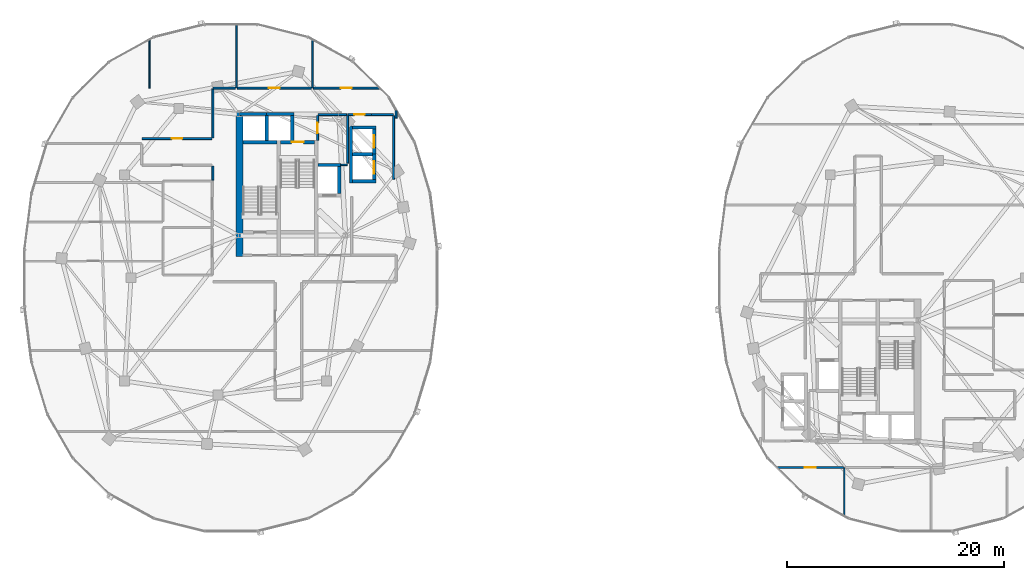
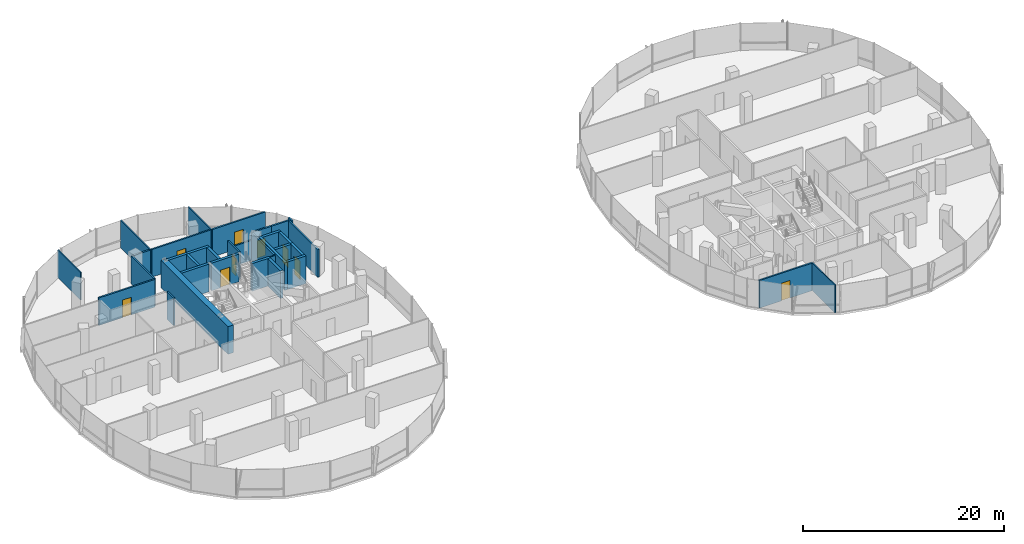
# One storey, part 13 of 23: 34 walls, 9 doors, 9 openings.
"""IFC4 building model written with IfcOpenShell, lengths in metres."""

from ifc_helpers import new_model, si_unit, direction, frame, frame_2d, origin, place, context, subcontext, project, spatial, rectangle, extrude, material, layer, layer_set, type_object, element, fill, save


model = new_model("IFC4")

# Units and contexts
model_context = context("Model", 3, precision=1e-05, world=origin(), true_north=direction((0.0, 1.0)))
body_context = subcontext(model_context, "Body", "Model", "MODEL_VIEW")
ifc_project = project(units=[si_unit("LENGTHUNIT", "METRE"), si_unit("AREAUNIT", "SQUARE_METRE"), si_unit("VOLUMEUNIT", "CUBIC_METRE"), si_unit("PLANEANGLEUNIT", "RADIAN"), si_unit("MASSUNIT", "GRAM", prefix="KILO"), si_unit("THERMODYNAMICTEMPERATUREUNIT", "KELVIN"), si_unit("POWERUNIT", "WATT")], contexts=[model_context])

# Site, building, storey
site_placement = place(None, origin())
site = spatial("IfcSite", under=ifc_project, at=site_placement, CompositionType="ELEMENT")
building_placement = place(site_placement, origin())
building = spatial("IfcBuilding", under=site, at=building_placement, Name="Cundina Bronze Exchange", CompositionType="ELEMENT")
storey_placement = place(building_placement, frame((0.0, 0.0, 169.199951171875)))
storey = spatial("IfcBuildingStorey", under=building, at=storey_placement, Name="L44", CompositionType="ELEMENT", Elevation=169.199951171875)

# Wall
ifc_material_1 = material(Name="Gypsum Fireboard Partition EI120")
ifc_layer_1 = layer(ifc_material_1, 0.179931640625, Name="Gypsum Fireboard Partition EI120")
ifc_layer_set_1 = layer_set([ifc_layer_1], Name="Gypsum Fireboard Partition EI120")
wall_type_1 = type_object("IfcWallType", Name="WL-COR-180", PredefinedType="PARTITIONING", material=ifc_layer_set_1)
wall_1_placement = place(storey_placement, frame((-17.02001953125, 9.070068359375, 0.0), z_axis=(0.0, 0.0, 1.0), x_axis=(0.0, 1.0, 0.0)))
element("IfcWall", 1, at=wall_1_placement, inside=storey, type_object=wall_type_1, Name="L44 Interior Partition 001", PredefinedType="PARTITIONING", context=body_context, shape_type="SweptSolid", body=[
    extrude(rectangle(XDim=5.85986328125, YDim=0.179931640625, at=frame_2d((2.929931640625, 0.0))), origin(), (0.0, 0.0, 1.0), 3.360107421875),
])

# Wall, opening, door
wall_2_placement = place(storey_placement, frame((-21.22998046875, 15.030029296875, 0.0), z_axis=(0.0, 0.0, 1.0), x_axis=(1.0, 0.0, 0.0)))
wall_2 = element("IfcWall", 2, at=wall_2_placement, inside=storey, type_object=wall_type_1, Name="L44 Interior Partition 002", PredefinedType="PARTITIONING", context=body_context, shape_type="SweptSolid", body=[
    extrude(rectangle(XDim=2.159912109375, YDim=0.179931640625, at=frame_2d((1.080078125, 0.0))), origin(), (0.0, 0.0, 1.0), 3.360107421875),
])
opening_1_placement = place(wall_2_placement, frame((0.60498046875, 0.0, 0.0)))
opening_1 = element("IfcOpeningElement", 3, at=opening_1_placement, cuts=wall_2, Name="Opening DW-01", PredefinedType="OPENING", context=body_context, shape_type="SweptSolid", body=[
    extrude(rectangle(XDim=0.949951171875, YDim=2.10009765625, at=frame_2d((0.47509765625, 1.050048828125))), frame((0.0, 0.099853515625, 0.0), z_axis=(0.0, -1.0, 0.0), x_axis=(1.0, 0.0, 0.0)), (0.0, 0.0, 1.0), 0.199951171875),
])
ifc_material_2 = material(Name="Solid Andean Oak Timber Grade A", Category="wood")
door_type_1 = type_object("IfcDoorType", Name="DR-WC-950", OperationType="NOTDEFINED", PredefinedType="DOOR", material=ifc_material_2)
door_1_placement = place(opening_1_placement, origin())
door_1 = element("IfcDoor", 4, at=door_1_placement, inside=storey, type_object=door_type_1, Name="L44 Interior Door 002", OperationType="SINGLE_SWING_LEFT", OverallHeight=2.10009765625, OverallWidth=0.949951171875, PredefinedType="DOOR", context=body_context, shape_type="SweptSolid", body=[
    extrude(rectangle(XDim=0.949951171875, YDim=2.10009765625, at=frame_2d((0.47509765625, 1.050048828125))), frame((0.0, 0.02490234375, 0.0), z_axis=(0.0, -1.0, 0.0), x_axis=(1.0, 0.0, 0.0)), (0.0, 0.0, 1.0), 0.050048828125),
])
fill(opening_1, door_1)

# Walls
wall_3_placement = place(storey_placement, frame((-19.030029296875, 15.030029296875, 0.0), z_axis=(0.0, 0.0, 1.0), x_axis=(1.0, 0.0, 0.0)))
element("IfcWall", 5, at=wall_3_placement, inside=storey, type_object=wall_type_1, Name="L44 Interior Partition 003", PredefinedType="PARTITIONING", context=body_context, shape_type="SweptSolid", body=[
    extrude(rectangle(XDim=1.989990234375, YDim=0.179931640625, at=frame_2d((0.9951171875, 0.0))), origin(), (0.0, 0.0, 1.0), 3.360107421875),
])
wall_4_placement = place(storey_placement, frame((-21.25, 10.570068359375, 0.0), z_axis=(0.0, 0.0, 1.0), x_axis=(0.0, 1.0, 0.0)))
element("IfcWall", 6, at=wall_4_placement, inside=storey, type_object=wall_type_1, Name="L44 Interior Partition 005", PredefinedType="PARTITIONING", context=body_context, shape_type="SweptSolid", body=[
    extrude(rectangle(XDim=4.35986328125, YDim=0.179931640625, at=frame_2d((2.179931640625, 0.0))), origin(), (0.0, 0.0, 1.0), 3.360107421875),
])
wall_5_placement = place(storey_placement, frame((-23.9599609375, 15.030029296875, 0.0), z_axis=(0.0, 0.0, 1.0), x_axis=(1.0, 0.0, 0.0)))
element("IfcWall", 7, at=wall_5_placement, inside=storey, type_object=wall_type_1, Name="L44 Interior Partition 006", PredefinedType="PARTITIONING", context=body_context, shape_type="SweptSolid", body=[
    extrude(rectangle(XDim=2.60986328125, YDim=0.179931640625, at=frame_2d((1.304931640625, 0.0))), origin(), (0.0, 0.0, 1.0), 2.43310546875),
])

# Wall, opening, door
wall_6_placement = place(storey_placement, frame((-24.02001953125, 12.669921875, 0.0), z_axis=(0.0, 0.0, 1.0), x_axis=(0.0, 1.0, 0.0)))
wall_6 = element("IfcWall", 8, at=wall_6_placement, inside=storey, type_object=wall_type_1, Name="L44 Interior Partition 008", PredefinedType="PARTITIONING", context=body_context, shape_type="SweptSolid", body=[
    extrude(rectangle(XDim=2.260009765625, YDim=0.179931640625, at=frame_2d((1.1298828125, 0.0))), origin(), (0.0, 0.0, 1.0), 3.360107421875),
])
opening_2_placement = place(wall_6_placement, frame((0.655029296875, 0.0, 0.0)))
opening_2 = element("IfcOpeningElement", 9, at=opening_2_placement, cuts=wall_6, Name="Opening DW-01", PredefinedType="OPENING", context=body_context, shape_type="SweptSolid", body=[
    extrude(rectangle(XDim=0.949951171875, YDim=2.10009765625, at=frame_2d((0.47509765625, 1.050048828125))), frame((0.0, 0.099853515625, 0.0), z_axis=(0.0, -1.0, 0.0), x_axis=(1.0, 0.0, 0.0)), (0.0, 0.0, 1.0), 0.199951171875),
])
door_2_placement = place(opening_2_placement, origin())
door_2 = element("IfcDoor", 10, at=door_2_placement, inside=storey, type_object=door_type_1, Name="L44 Interior Door 008", OperationType="SINGLE_SWING_LEFT", OverallHeight=2.10009765625, OverallWidth=0.949951171875, PredefinedType="DOOR", context=body_context, shape_type="SweptSolid", body=[
    extrude(rectangle(XDim=0.949951171875, YDim=2.10009765625, at=frame_2d((0.47509765625, 1.050048828125))), frame((0.0, 0.02490234375, 0.0), z_axis=(0.0, -1.0, 0.0), x_axis=(1.0, 0.0, 0.0)), (0.0, 0.0, 1.0), 0.050048828125),
])
fill(opening_2, door_2)

# Walls
wall_7_placement = place(storey_placement, frame((-16.780029296875, 14.721435546875, 0.0), z_axis=(0.0, 0.0, 1.0), x_axis=(0.0, 1.0, 0.0)))
element("IfcWall", 11, at=wall_7_placement, inside=storey, type_object=wall_type_1, Name="L44 Interior Partition 033", PredefinedType="PARTITIONING", context=body_context, shape_type="SweptSolid", body=[
    extrude(rectangle(XDim=0.68359375, YDim=0.179931640625, at=frame_2d((0.341796875, 0.0))), origin(), (0.0, 0.0, 1.0), 3.360107421875),
])
wall_8_placement = place(storey_placement, frame((-33.669921875, 10.300048828125, 0.0), z_axis=(0.0, 0.0, 1.0), x_axis=(0.0, -1.0, 0.0)))
element("IfcWall", 12, at=wall_8_placement, inside=storey, type_object=wall_type_1, Name="L44 Interior Partition 036", PredefinedType="PARTITIONING", context=body_context, shape_type="SweptSolid", body=[
    extrude(rectangle(XDim=1.298583984375, YDim=0.179931640625, at=frame_2d((0.6494140625, 0.0))), origin(), (0.0, 0.0, 1.0), 3.360107421875),
])

# Wall, opening, door
wall_9_placement = place(storey_placement, frame((-33.75, 12.820068359375, 0.0), z_axis=(0.0, 0.0, 1.0), x_axis=(-1.0, 0.0, 0.0)))
wall_9 = element("IfcWall", 13, at=wall_9_placement, inside=storey, type_object=wall_type_1, Name="L44 Interior Partition 037", PredefinedType="PARTITIONING", context=body_context, shape_type="SweptSolid", body=[
    extrude(rectangle(XDim=6.428466796875, YDim=0.179931640625, at=frame_2d((3.21435546875, 0.0))), origin(), (0.0, 0.0, 1.0), 3.360107421875),
])
opening_3_placement = place(wall_9_placement, frame((2.714111328125, 0.0, 0.0)))
opening_3 = element("IfcOpeningElement", 14, at=opening_3_placement, cuts=wall_9, Name="Opening DO-01", PredefinedType="OPENING", context=body_context, shape_type="SweptSolid", body=[
    extrude(rectangle(XDim=1.0, YDim=2.14990234375, at=frame_2d((0.5, 1.074951171875))), frame((0.0, 0.099853515625, 0.0), z_axis=(0.0, -1.0, 0.0), x_axis=(1.0, 0.0, 0.0)), (0.0, 0.0, 1.0), 0.199951171875),
])
door_type_2 = type_object("IfcDoorType", Name="DR-OFF-1000", OperationType="NOTDEFINED", PredefinedType="DOOR", material=ifc_material_2)
door_3_placement = place(opening_3_placement, origin())
door_3 = element("IfcDoor", 15, at=door_3_placement, inside=storey, type_object=door_type_2, Name="L44 Interior Door 037", OperationType="SINGLE_SWING_LEFT", OverallHeight=2.14990234375, OverallWidth=1.0, PredefinedType="DOOR", context=body_context, shape_type="SweptSolid", body=[
    extrude(rectangle(XDim=1.0, YDim=2.14990234375, at=frame_2d((0.5, 1.074951171875))), frame((0.0, 0.02490234375, 0.0), z_axis=(0.0, -1.0, 0.0), x_axis=(1.0, 0.0, 0.0)), (0.0, 0.0, 1.0), 0.050048828125),
])
fill(opening_3, door_3)

# Walls
wall_10_placement = place(storey_placement, frame((-33.669921875, 17.428466796875, 0.0), z_axis=(0.0, 0.0, 1.0), x_axis=(0.0, -1.0, 0.0)))
element("IfcWall", 16, at=wall_10_placement, inside=storey, type_object=wall_type_1, Name="L44 Interior Partition 038", PredefinedType="PARTITIONING", context=body_context, shape_type="SweptSolid", body=[
    extrude(rectangle(XDim=4.528564453125, YDim=0.179931640625, at=frame_2d((2.26416015625, 0.0))), origin(), (0.0, 0.0, 1.0), 3.360107421875),
])
wall_11_placement = place(storey_placement, frame((-31.590087890625, 17.469970703125, 0.0), z_axis=(0.0, 0.0, 1.0), x_axis=(-1.0, 0.0, 0.0)))
element("IfcWall", 17, at=wall_11_placement, inside=storey, type_object=wall_type_1, Name="L44 Interior Partition 039", PredefinedType="PARTITIONING", context=body_context, shape_type="SweptSolid", body=[
    extrude(rectangle(XDim=2.038330078125, YDim=0.179931640625, at=frame_2d((1.01904296875, 0.0))), origin(), (0.0, 0.0, 1.0), 3.360107421875),
])

# Wall, opening, door
wall_12_placement = place(storey_placement, frame((-18.341796875, 17.469970703125, 0.0), z_axis=(0.0, 0.0, 1.0), x_axis=(-1.0, 0.0, 0.0)))
wall_12 = element("IfcWall", 18, at=wall_12_placement, inside=storey, type_object=wall_type_1, Name="L44 Interior Partition 040", PredefinedType="PARTITIONING", context=body_context, shape_type="SweptSolid", body=[
    extrude(rectangle(XDim=6.068115234375, YDim=0.179931640625, at=frame_2d((3.0341796875, 0.0))), origin(), (0.0, 0.0, 1.0), 3.360107421875),
])
opening_4_placement = place(wall_12_placement, frame((2.5341796875, 0.0, 0.0)))
opening_4 = element("IfcOpeningElement", 19, at=opening_4_placement, cuts=wall_12, Name="Opening DO-01", PredefinedType="OPENING", context=body_context, shape_type="SweptSolid", body=[
    extrude(rectangle(XDim=1.0, YDim=2.14990234375, at=frame_2d((0.5, 1.074951171875))), frame((0.0, 0.099853515625, 0.0), z_axis=(0.0, -1.0, 0.0), x_axis=(1.0, 0.0, 0.0)), (0.0, 0.0, 1.0), 0.199951171875),
])
door_4_placement = place(opening_4_placement, origin())
door_4 = element("IfcDoor", 20, at=door_4_placement, inside=storey, type_object=door_type_2, Name="L44 Interior Door 040", OperationType="SINGLE_SWING_RIGHT", OverallHeight=2.14990234375, OverallWidth=1.0, PredefinedType="DOOR", context=body_context, shape_type="SweptSolid", body=[
    extrude(rectangle(XDim=1.0, YDim=2.14990234375, at=frame_2d((0.5, 1.074951171875))), frame((0.0, 0.02490234375, 0.0), z_axis=(0.0, -1.0, 0.0), x_axis=(1.0, 0.0, 0.0)), (0.0, 0.0, 1.0), 0.050048828125),
])
fill(opening_4, door_4)

wall_13_placement = place(storey_placement, frame((-24.590087890625, 17.469970703125, 0.0), z_axis=(0.0, 0.0, 1.0), x_axis=(-1.0, 0.0, 0.0)))
wall_13 = element("IfcWall", 21, at=wall_13_placement, inside=storey, type_object=wall_type_1, Name="L44 Interior Partition 041", PredefinedType="PARTITIONING", context=body_context, shape_type="SweptSolid", body=[
    extrude(rectangle(XDim=6.81982421875, YDim=0.179931640625, at=frame_2d((3.409912109375, 0.0))), origin(), (0.0, 0.0, 1.0), 3.360107421875),
])
opening_5_placement = place(wall_13_placement, frame((2.909912109375, 0.0, 0.0)))
opening_5 = element("IfcOpeningElement", 22, at=opening_5_placement, cuts=wall_13, Name="Opening DO-01", PredefinedType="OPENING", context=body_context, shape_type="SweptSolid", body=[
    extrude(rectangle(XDim=1.0, YDim=2.14990234375, at=frame_2d((0.5, 1.074951171875))), frame((0.0, 0.099853515625, 0.0), z_axis=(0.0, -1.0, 0.0), x_axis=(1.0, 0.0, 0.0)), (0.0, 0.0, 1.0), 0.199951171875),
])
door_5_placement = place(opening_5_placement, origin())
door_5 = element("IfcDoor", 23, at=door_5_placement, inside=storey, type_object=door_type_2, Name="L44 Interior Door 041", OperationType="SINGLE_SWING_RIGHT", OverallHeight=2.14990234375, OverallWidth=1.0, PredefinedType="DOOR", context=body_context, shape_type="SweptSolid", body=[
    extrude(rectangle(XDim=1.0, YDim=2.14990234375, at=frame_2d((0.5, 1.074951171875))), frame((0.0, 0.02490234375, 0.0), z_axis=(0.0, -1.0, 0.0), x_axis=(1.0, 0.0, 0.0)), (0.0, 0.0, 1.0), 0.050048828125),
])
fill(opening_5, door_5)

wall_14_placement = place(storey_placement, frame((18.341796875, -17.469970703125, 0.0), z_axis=(0.0, 0.0, 1.0), x_axis=(1.0, 0.0, 0.0)))
wall_14 = element("IfcWall", 24, at=wall_14_placement, inside=storey, type_object=wall_type_1, Name="L44 Interior Partition 068", PredefinedType="PARTITIONING", context=body_context, shape_type="SweptSolid", body=[
    extrude(rectangle(XDim=6.068115234375, YDim=0.179931640625, at=frame_2d((3.0341796875, 0.0))), origin(), (0.0, 0.0, 1.0), 3.360107421875),
])
opening_6_placement = place(wall_14_placement, frame((2.5341796875, 0.0, 0.0)))
opening_6 = element("IfcOpeningElement", 25, at=opening_6_placement, cuts=wall_14, Name="Opening DO-01", PredefinedType="OPENING", context=body_context, shape_type="SweptSolid", body=[
    extrude(rectangle(XDim=1.0, YDim=2.14990234375, at=frame_2d((0.5, 1.074951171875))), frame((0.0, 0.099853515625, 0.0), z_axis=(0.0, -1.0, 0.0), x_axis=(1.0, 0.0, 0.0)), (0.0, 0.0, 1.0), 0.199951171875),
])
door_6_placement = place(opening_6_placement, origin())
door_6 = element("IfcDoor", 26, at=door_6_placement, inside=storey, type_object=door_type_2, Name="L44 Interior Door 068", OperationType="SINGLE_SWING_LEFT", OverallHeight=2.14990234375, OverallWidth=1.0, PredefinedType="DOOR", context=body_context, shape_type="SweptSolid", body=[
    extrude(rectangle(XDim=1.0, YDim=2.14990234375, at=frame_2d((0.5, 1.074951171875))), frame((0.0, 0.02490234375, 0.0), z_axis=(0.0, -1.0, 0.0), x_axis=(1.0, 0.0, 0.0)), (0.0, 0.0, 1.0), 0.050048828125),
])
fill(opening_6, door_6)

# Walls
ifc_material_3 = material(Name="Concrete C50/60", Category="concrete")
ifc_layer_2 = layer(ifc_material_3, 0.64990234375, Name="Concrete C50/60", Category="concrete")
ifc_layer_set_2 = layer_set([ifc_layer_2], Name="Concrete C50/60")
wall_type_2 = type_object("IfcWallType", Name="WL-CORE-650", PredefinedType="SHEAR", material=ifc_layer_set_2)
wall_15_placement = place(storey_placement, frame((-31.22509765625, 1.969970703125, 0.0), z_axis=(0.0, 0.0, 1.0), x_axis=(0.0, 1.0, 0.0)))
element("IfcWall", 27, at=wall_15_placement, inside=storey, type_object=wall_type_2, Name="L44 W Primary Core Shear Spine Wall", PredefinedType="SHEAR", context=body_context, shape_type="SweptSolid", body=[
    extrude(rectangle(XDim=13.330078125, YDim=0.64990234375, at=frame_2d((6.6650390625, 0.0))), origin(), (0.0, 0.0, 1.0), 3.360107421875),
])
ifc_material_4 = material(Name="Gypsum Acoustic Partition EI60")
ifc_layer_3 = layer(ifc_material_4, 0.125, Name="Gypsum Acoustic Partition EI60")
ifc_layer_set_3 = layer_set([ifc_layer_3], Name="Gypsum Acoustic Partition EI60")
wall_type_3 = type_object("IfcWallType", Name="WL-OFF-125", PredefinedType="PARTITIONING", material=ifc_layer_set_3)
wall_16_placement = place(storey_placement, frame((-39.5, 17.469970703125, 0.0), z_axis=(0.0, 0.0, 1.0), x_axis=(0.0, 1.0, 0.0)))
element("IfcWall", 28, at=wall_16_placement, inside=storey, type_object=wall_type_3, Name="L44 Interior Partition 021", PredefinedType="PARTITIONING", context=body_context, shape_type="SweptSolid", body=[
    extrude(rectangle(XDim=4.55517578125, YDim=0.125, at=frame_2d((2.277587890625, 0.0))), origin(), (0.0, 0.0, 1.0), 3.360107421875),
])
wall_17_placement = place(storey_placement, frame((-31.5, 17.5, 0.0), z_axis=(0.0, 0.0, 1.0), x_axis=(0.0, 1.0, 0.0)))
element("IfcWall", 29, at=wall_17_placement, inside=storey, type_object=wall_type_3, Name="L44 Interior Partition 022", PredefinedType="PARTITIONING", context=body_context, shape_type="SweptSolid", body=[
    extrude(rectangle(XDim=5.902099609375, YDim=0.125, at=frame_2d((2.951171875, 0.0))), origin(), (0.0, 0.0, 1.0), 3.360107421875),
])
for number, where, z_axis, x_axis, name in (
    (30, (-24.5, 17.5, 0.0), (0.0, 0.0, 1.0), (0.0, 1.0, 0.0), "L44 Interior Partition 023"),
    (31, (24.5, -22.025146484375, 0.0), (0.0, 0.0, 1.0), (0.0, 1.0, 0.0), "L44 Interior Partition 064"),
):
    element("IfcWall", number, at=place(storey_placement, frame(where, z_axis=z_axis, x_axis=x_axis)), inside=storey, type_object=wall_type_3, Name=name, PredefinedType="PARTITIONING", context=body_context, shape_type="SweptSolid", body=[
        extrude(rectangle(XDim=4.525146484375, YDim=0.125, at=frame_2d((2.2626953125, 0.0))), origin(), (0.0, 0.0, 1.0), 3.360107421875),
    ])
ifc_layer_4 = layer(ifc_material_3, 0.300048828125, Name="Concrete C50/60", Category="concrete")
ifc_layer_set_4 = layer_set([ifc_layer_4], Name="Concrete C50/60")
wall_type_4 = type_object("IfcWallType", Name="WL-SHFT-300", PredefinedType="SHEAR", material=ifc_layer_set_4)
wall_18_placement = place(storey_placement, frame((-30.89990234375, 12.5, 0.0), z_axis=(0.0, 0.0, 1.0), x_axis=(1.0, 0.0, 0.0)))
element("IfcWall", 32, at=wall_18_placement, inside=storey, type_object=wall_type_4, Name="L44 Stair W1 Far Shaft Wall", PredefinedType="SHEAR", context=body_context, shape_type="SweptSolid", body=[
    extrude(rectangle(XDim=3.159912109375, YDim=0.300048828125, at=frame_2d((1.580078125, 0.0))), origin(), (0.0, 0.0, 1.0), 3.360107421875),
])

# Wall, opening, door
wall_19_placement = place(storey_placement, frame((-27.43994140625, 12.5, 0.0), z_axis=(0.0, 0.0, 1.0), x_axis=(1.0, 0.0, 0.0)))
wall_19 = element("IfcWall", 33, at=wall_19_placement, inside=storey, type_object=wall_type_4, Name="L44 Stair W2 Landing Wall", PredefinedType="SHEAR", context=body_context, shape_type="SweptSolid", body=[
    extrude(rectangle(XDim=3.159912109375, YDim=0.300048828125, at=frame_2d((1.580078125, 0.0))), origin(), (0.0, 0.0, 1.0), 3.360107421875),
])
opening_7_placement = place(wall_19_placement, frame((1.030029296875, 0.0, 0.0)))
opening_7 = element("IfcOpeningElement", 34, at=opening_7_placement, cuts=wall_19, Name="Opening DS-01", PredefinedType="OPENING", context=body_context, shape_type="SweptSolid", body=[
    extrude(rectangle(XDim=1.10009765625, YDim=2.14990234375, at=frame_2d((0.550048828125, 1.074951171875))), frame((0.0, 0.159912109375, 0.0), z_axis=(0.0, -1.0, 0.0), x_axis=(1.0, 0.0, 0.0)), (0.0, 0.0, 1.0), 0.320068359375),
])
ifc_material_5 = material(Name="Steel ASTM A36 Painted", Category="steel")
door_type_3 = type_object("IfcDoorType", Name="DR-STR-1100", OperationType="NOTDEFINED", PredefinedType="DOOR", material=ifc_material_5)
door_7_placement = place(opening_7_placement, origin())
door_7 = element("IfcDoor", 35, at=door_7_placement, inside=storey, type_object=door_type_3, Name="L44 Smokeproof Stair W2 Door", OperationType="SINGLE_SWING_LEFT", OverallHeight=2.14990234375, OverallWidth=1.10009765625, PredefinedType="DOOR", context=body_context, shape_type="SweptSolid", body=[
    extrude(rectangle(XDim=1.10009765625, YDim=2.14990234375, at=frame_2d((0.550048828125, 1.074951171875))), frame((0.0, 0.02490234375, 0.0), z_axis=(0.0, -1.0, 0.0), x_axis=(1.0, 0.0, 0.0)), (0.0, 0.0, 1.0), 0.050048828125),
])
fill(opening_7, door_7)

# Walls
wall_20_placement = place(storey_placement, frame((-23.97998046875, 10.39990234375, 0.0), z_axis=(0.0, 0.0, 1.0), x_axis=(1.0, 0.0, 0.0)))
element("IfcWall", 36, at=wall_20_placement, inside=storey, type_object=wall_type_4, Name="L44 FFL-W Hoistway Back Wall", PredefinedType="SHEAR", context=body_context, shape_type="SweptSolid", body=[
    extrude(rectangle(XDim=2.10009765625, YDim=0.300048828125, at=frame_2d((1.050048828125, 0.0))), origin(), (0.0, 0.0, 1.0), 3.360107421875),
])
for number, where, z_axis, x_axis, name in (
    (37, (-22.030029296875, 7.75, 0.0), (0.0, 0.0, 1.0), (0.0, 1.0, 0.0), "L44 FFL-W Hoistway Side Wall"),
    (38, (-31.199951171875, 15.10009765625, 0.0), (0.0, 0.0, 1.0), (1.0, 0.0, 0.0), "L44 PH-W1 Hoistway Front Wall"),
):
    element("IfcWall", number, at=place(storey_placement, frame(where, z_axis=z_axis, x_axis=x_axis)), inside=storey, type_object=wall_type_4, Name=name, PredefinedType="SHEAR", context=body_context, shape_type="SweptSolid", body=[
        extrude(rectangle(XDim=2.5, YDim=0.300048828125, at=frame_2d((1.25, 0.0))), origin(), (0.0, 0.0, 1.0), 3.360107421875),
    ])
wall_21_placement = place(storey_placement, frame((-28.699951171875, 12.64990234375, 0.0), z_axis=(0.0, 0.0, 1.0), x_axis=(0.0, 1.0, 0.0)))
element("IfcWall", 39, at=wall_21_placement, inside=storey, type_object=wall_type_4, Name="L44 PH-W1 Hoistway Divider Wall", PredefinedType="SHEAR", context=body_context, shape_type="SweptSolid", body=[
    extrude(rectangle(XDim=2.300048828125, YDim=0.300048828125, at=frame_2d((1.14990234375, 0.0))), origin(), (0.0, 0.0, 1.0), 3.360107421875),
])
wall_22_placement = place(storey_placement, frame((-28.699951171875, 15.10009765625, 0.0), z_axis=(0.0, 0.0, 1.0), x_axis=(1.0, 0.0, 0.0)))
element("IfcWall", 40, at=wall_22_placement, inside=storey, type_object=wall_type_4, Name="L44 PH-W2 Hoistway Front Wall", PredefinedType="SHEAR", context=body_context, shape_type="SweptSolid", body=[
    extrude(rectangle(XDim=2.5, YDim=0.300048828125, at=frame_2d((1.25, 0.0))), origin(), (0.0, 0.0, 1.0), 3.360107421875),
])
wall_23_placement = place(storey_placement, frame((-26.35009765625, 12.64990234375, 0.0), z_axis=(0.0, 0.0, 1.0), x_axis=(0.0, 1.0, 0.0)))
element("IfcWall", 41, at=wall_23_placement, inside=storey, type_object=wall_type_4, Name="L44 PH-W2 Hoistway Divider Wall", PredefinedType="SHEAR", context=body_context, shape_type="SweptSolid", body=[
    extrude(rectangle(XDim=2.300048828125, YDim=0.300048828125, at=frame_2d((1.14990234375, 0.0))), origin(), (0.0, 0.0, 1.0), 3.360107421875),
])
wall_24_placement = place(storey_placement, frame((-20.949951171875, 8.75, 0.0), z_axis=(0.0, 0.0, 1.0), x_axis=(0.0, 1.0, 0.0)))
element("IfcWall", 42, at=wall_24_placement, inside=storey, type_object=wall_type_4, Name="L44 W Passenger Bank Hoistway Back Wall", PredefinedType="SHEAR", context=body_context, shape_type="SweptSolid", body=[
    extrude(rectangle(XDim=5.25, YDim=0.300048828125, at=frame_2d((2.625, 0.0))), origin(), (0.0, 0.0, 1.0), 3.360107421875),
])
for number, where, z_axis, x_axis, name in (
    (43, (-20.800048828125, 8.89990234375, 0.0), (0.0, 0.0, 1.0), (1.0, 0.0, 0.0), "L44 W Passenger Bank South Cap Wall"),
    (44, (-20.800048828125, 13.85009765625, 0.0), (0.0, 0.0, 1.0), (1.0, 0.0, 0.0), "L44 W Passenger Bank North Cap Wall"),
):
    element("IfcWall", number, at=place(storey_placement, frame(where, z_axis=z_axis, x_axis=x_axis)), inside=storey, type_object=wall_type_4, Name=name, PredefinedType="SHEAR", context=body_context, shape_type="SweptSolid", body=[
        extrude(rectangle(XDim=2.150146484375, YDim=0.300048828125, at=frame_2d((1.0751953125, 0.0))), origin(), (0.0, 0.0, 1.0), 3.360107421875),
    ])
wall_25_placement = place(storey_placement, frame((-20.800048828125, 11.375, 0.0), z_axis=(0.0, 0.0, 1.0), x_axis=(1.0, 0.0, 0.0)))
element("IfcWall", 45, at=wall_25_placement, inside=storey, type_object=wall_type_4, Name="L44 W Passenger Hoistway Divider 1", PredefinedType="SHEAR", context=body_context, shape_type="SweptSolid", body=[
    extrude(rectangle(XDim=1.85009765625, YDim=0.300048828125, at=frame_2d((0.925048828125, 0.0))), origin(), (0.0, 0.0, 1.0), 3.360107421875),
])

# Wall, opening, door
wall_26_placement = place(storey_placement, frame((-18.800048828125, 8.929931640625, 0.0), z_axis=(0.0, 0.0, 1.0), x_axis=(0.0, 1.0, 0.0)))
wall_26 = element("IfcWall", 46, at=wall_26_placement, inside=storey, type_object=wall_type_4, Name="L44 PM-W2 Hoistway Front Wall", PredefinedType="SHEAR", context=body_context, shape_type="SweptSolid", body=[
    extrude(rectangle(XDim=2.489990234375, YDim=0.300048828125, at=frame_2d((1.2451171875, 0.0))), origin(), (0.0, 0.0, 1.0), 3.360107421875),
])
opening_8_placement = place(wall_26_placement, frame((0.669921875, 0.0, 0.0)))
opening_8 = element("IfcOpeningElement", 47, at=opening_8_placement, cuts=wall_26, Name="Opening LD-01", PredefinedType="OPENING", context=body_context, shape_type="SweptSolid", body=[
    extrude(rectangle(XDim=1.14990234375, YDim=2.199951171875, at=frame_2d((0.574951171875, 1.10009765625))), frame((0.0, 0.159912109375, 0.0), z_axis=(0.0, -1.0, 0.0), x_axis=(1.0, 0.0, 0.0)), (0.0, 0.0, 1.0), 0.320068359375),
])
door_type_4 = type_object("IfcDoorType", Name="DR-LND-1150", OperationType="NOTDEFINED", PredefinedType="TRAPDOOR", material=ifc_material_5)
door_8_placement = place(opening_8_placement, origin())
door_8 = element("IfcDoor", 48, at=door_8_placement, inside=storey, type_object=door_type_4, Name="L44 PM-W2 Sliding Landing Door", OperationType="SLIDING_TO_LEFT", OverallHeight=2.199951171875, OverallWidth=1.14990234375, PredefinedType="TRAPDOOR", context=body_context, shape_type="SweptSolid", body=[
    extrude(rectangle(XDim=1.14990234375, YDim=2.199951171875, at=frame_2d((0.574951171875, 1.10009765625))), frame((0.0, 0.02490234375, 0.0), z_axis=(0.0, -1.0, 0.0), x_axis=(1.0, 0.0, 0.0)), (0.0, 0.0, 1.0), 0.050048828125),
])
fill(opening_8, door_8)

wall_27_placement = place(storey_placement, frame((-18.800048828125, 11.330078125, 0.0), z_axis=(0.0, 0.0, 1.0), x_axis=(0.0, 1.0, 0.0)))
wall_27 = element("IfcWall", 49, at=wall_27_placement, inside=storey, type_object=wall_type_4, Name="L44 PM-W1 Hoistway Front Wall", PredefinedType="SHEAR", context=body_context, shape_type="SweptSolid", body=[
    extrude(rectangle(XDim=2.489990234375, YDim=0.300048828125, at=frame_2d((1.2451171875, 0.0))), origin(), (0.0, 0.0, 1.0), 3.360107421875),
])
opening_9_placement = place(wall_27_placement, frame((0.669921875, 0.0, 0.0)))
opening_9 = element("IfcOpeningElement", 50, at=opening_9_placement, cuts=wall_27, Name="Opening LD-01", PredefinedType="OPENING", context=body_context, shape_type="SweptSolid", body=[
    extrude(rectangle(XDim=1.14990234375, YDim=2.199951171875, at=frame_2d((0.574951171875, 1.10009765625))), frame((0.0, 0.159912109375, 0.0), z_axis=(0.0, -1.0, 0.0), x_axis=(1.0, 0.0, 0.0)), (0.0, 0.0, 1.0), 0.320068359375),
])
door_9_placement = place(opening_9_placement, origin())
door_9 = element("IfcDoor", 51, at=door_9_placement, inside=storey, type_object=door_type_4, Name="L44 PM-W1 Sliding Landing Door", OperationType="SLIDING_TO_LEFT", OverallHeight=2.199951171875, OverallWidth=1.14990234375, PredefinedType="TRAPDOOR", context=body_context, shape_type="SweptSolid", body=[
    extrude(rectangle(XDim=1.14990234375, YDim=2.199951171875, at=frame_2d((0.574951171875, 1.10009765625))), frame((0.0, 0.02490234375, 0.0), z_axis=(0.0, -1.0, 0.0), x_axis=(1.0, 0.0, 0.0)), (0.0, 0.0, 1.0), 0.050048828125),
])
fill(opening_9, door_9)

# Wall
ifc_material_6 = material(Name="Moisture-Resistant Masonry Block Grade M15", Category="masonry")
ifc_layer_5 = layer(ifc_material_6, 0.139892578125, Name="Moisture-Resistant Masonry Block Grade M15", Category="masonry")
ifc_layer_set_5 = layer_set([ifc_layer_5], Name="Moisture-Resistant Masonry Block Grade M15")
wall_type_5 = type_object("IfcWallType", Name="WL-WET-140", PredefinedType="PARTITIONING", material=ifc_layer_set_5)
wall_28_placement = place(storey_placement, frame((-21.860107421875, 10.39990234375, 0.0), z_axis=(0.0, 0.0, 1.0), x_axis=(1.0, 0.0, 0.0)))
element("IfcWall", 52, at=wall_28_placement, inside=storey, type_object=wall_type_5, Name="L44 Interior Partition 004", PredefinedType="PARTITIONING", context=body_context, shape_type="SweptSolid", body=[
    extrude(rectangle(XDim=0.590087890625, YDim=0.139892578125, at=frame_2d((0.294921875, 0.0))), origin(), (0.0, 0.0, 1.0), 3.360107421875),
])

save(model, "model.ifc")
